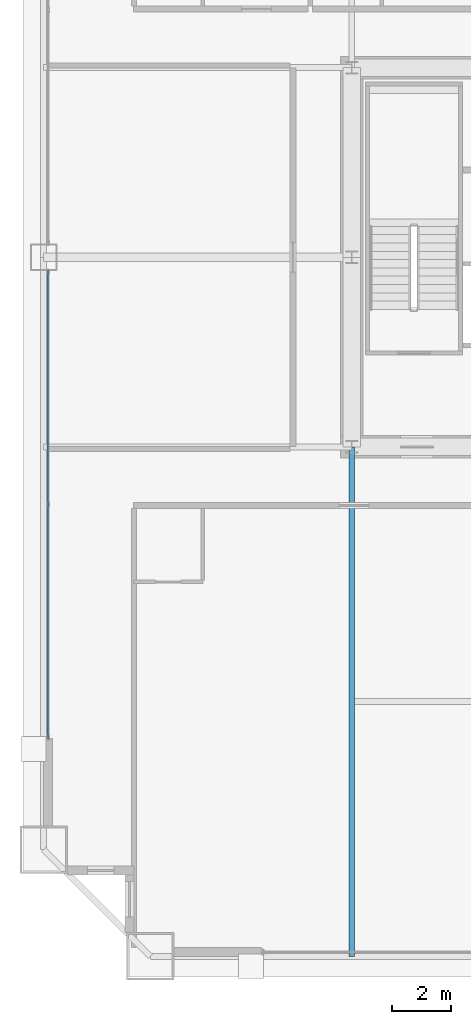
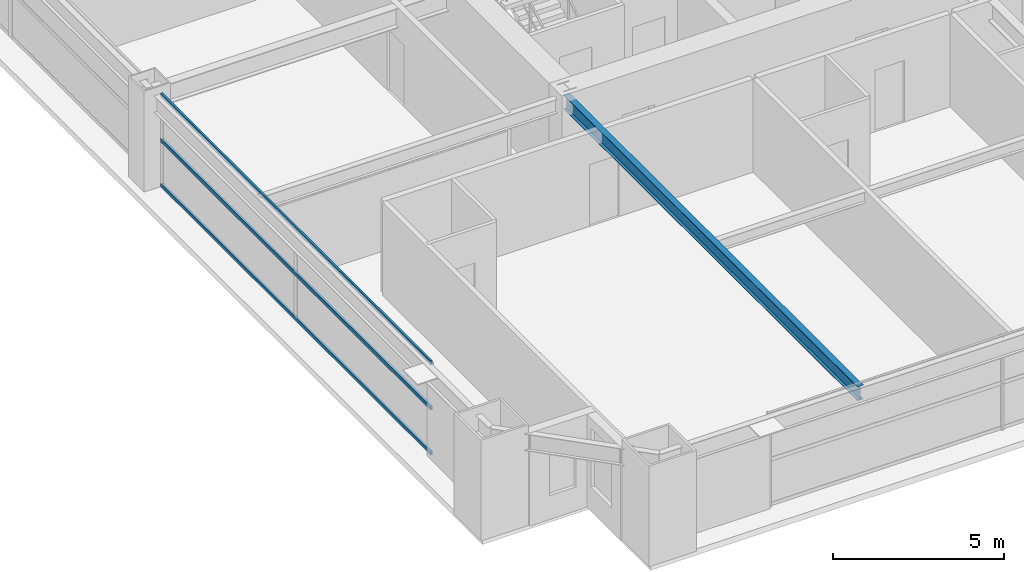
# One storey, part 8 of 38: 3 members, 1 beam, 1 element without a shape of its own.
"""IFC4 building model written with IfcOpenShell, lengths in metres."""

from ifc_helpers import new_model, si_unit, direction, frame, origin, origin_2d, place, context, subcontext, project, spatial, hollow_rectangle, i_section, extrude, source, transform, mapped, material, layer, layer_set, material_profile, profile_set, type_object, element, aggregate, save


model = new_model("IFC4")

# Units and contexts
model_context = context("Model", 3, precision=1e-05, world=origin(), true_north=direction((0.0, 1.0)))
body_context = subcontext(model_context, "Body", "Model", "MODEL_VIEW")
ifc_project = project(units=[si_unit("LENGTHUNIT", "METRE"), si_unit("AREAUNIT", "SQUARE_METRE"), si_unit("VOLUMEUNIT", "CUBIC_METRE"), si_unit("PLANEANGLEUNIT", "RADIAN"), si_unit("MASSUNIT", "GRAM", prefix="KILO"), si_unit("THERMODYNAMICTEMPERATUREUNIT", "KELVIN"), si_unit("POWERUNIT", "WATT")], contexts=[model_context])

# Site, building, storey
site_placement = place(None, origin())
site = spatial("IfcSite", under=ifc_project, at=site_placement, CompositionType="ELEMENT")
building_placement = place(site_placement, origin())
building = spatial("IfcBuilding", under=site, at=building_placement, Name="Yuzanri Waterfront Tower", CompositionType="ELEMENT")
storey_placement = place(building_placement, frame((0.0, 0.0, 126.199951171875)))
storey = spatial("IfcBuildingStorey", under=building, at=storey_placement, Name="L33", CompositionType="ELEMENT", Elevation=126.199951171875)

# Beam
ifc_material_1 = material(Name="Steel Q355B", Category="steel")
ifc_material_profile_1 = material_profile(ifc_material_1, i_section(OverallWidth=0.199951171875, OverallDepth=0.5, WebThickness=0.010009765625, FlangeThickness=0.01611328125, at=origin_2d()), Name="HN 500x200x10x16")
ifc_profile_set_1 = profile_set([ifc_material_profile_1], Name="Steel Q355B")
beam_type = type_object("IfcBeamType", Name="Secondary Floor Beam Q355B HN 500x200", PredefinedType="BEAM", material=ifc_profile_set_1)
shared_shape_1 = source(origin(), body_context, "Body", "SweptSolid", [
    extrude(i_section(OverallWidth=0.199951171875, OverallDepth=0.5, WebThickness=0.010009765625, FlangeThickness=0.01611328125, at=origin_2d()), origin(), (0.0, 0.0, 1.0), 17.199951171875),
])
beam_placement = place(storey_placement, frame((23.800048828125, 19.39990234375, 3.070068359375), z_axis=(0.0, -1.0, 0.0), x_axis=(1.0, 0.0, 0.0)))
element("IfcBeam", 1, at=beam_placement, inside=storey, type_object=beam_type, Name="L33 South-West Core Line Beam", PredefinedType="BEAM", context=body_context, shape_type="MappedRepresentation", body=[
    mapped(shared_shape_1, transform((0.0, 0.0, 0.0), scale=1.0)),
])

# Curtain wall, members
ifc_material_2 = material(Name="Anodized Architectural Bronze", Category="metal")
ifc_layer = layer(ifc_material_2, 0.159912109375)
ifc_layer_set = layer_set([ifc_layer], Name="Anodized Architectural Bronze")
curtain_wall_type = type_object("IfcCurtainWallType", Name="Anodized Bronze Hotel Upper-Tier Solar-Control Unitized Curtain Wall 7800", PredefinedType="NOTDEFINED", material=ifc_layer_set)
curtain_wall_placement = place(storey_placement, origin())
curtain_wall = element("IfcCurtainWall", 2, at=curtain_wall_placement, inside=storey, type_object=curtain_wall_type, Name="L33 Curtain Wall CW-L33-WL", PredefinedType="NOTDEFINED")
ifc_material_3 = material(Name="Anodized Architectural Bronze", Category="metal")
ifc_material_profile_2 = material_profile(ifc_material_3, hollow_rectangle(XDim=0.070068359375, YDim=0.135009765625, WallThickness=0.00341796875, at=origin_2d()), Name="CWT 70x135")
ifc_profile_set_2 = profile_set([ifc_material_profile_2], Name="Anodized Architectural Bronze")
member_type = type_object("IfcMemberType", Name="Anodized Bronze Standard Curtain-Wall Transom 70x135", PredefinedType="USERDEFINED", material=ifc_profile_set_2)
shared_shape_2 = source(origin(), body_context, "Body", "SweptSolid", [
    extrude(hollow_rectangle(XDim=0.070068359375, YDim=0.135009765625, WallThickness=0.00341796875, at=origin_2d()), origin(), (0.0, 0.0, 1.0), 15.800048828125),
])
member_1_placement = place(storey_placement, frame((13.550048828125, 9.550048828125, 0.050048828125), z_axis=(0.0, 1.0, 0.0), x_axis=(-1.0, 0.0, 0.0)))
member_1 = element("IfcMember", 3, at=member_1_placement, type_object=member_type, Name="CW-L33-WL Transom 1", ObjectType="TRANSOM", PredefinedType="USERDEFINED", context=body_context, shape_type="MappedRepresentation", body=[
    mapped(shared_shape_2, transform((0.0, 0.0, 0.0), scale=1.0)),
])
member_2_placement = place(storey_placement, frame((13.550048828125, 9.550048828125, 1.66015625), z_axis=(0.0, 1.0, 0.0), x_axis=(-1.0, 0.0, 0.0)))
member_2 = element("IfcMember", 4, at=member_2_placement, type_object=member_type, Name="CW-L33-WL Transom 2", ObjectType="TRANSOM", PredefinedType="USERDEFINED", context=body_context, shape_type="MappedRepresentation", body=[
    mapped(shared_shape_2, transform((0.0, 0.0, 0.0), scale=1.0)),
])
member_3_placement = place(storey_placement, frame((13.550048828125, 9.550048828125, 3.27001953125), z_axis=(0.0, 1.0, 0.0), x_axis=(-1.0, 0.0, 0.0)))
member_3 = element("IfcMember", 5, at=member_3_placement, type_object=member_type, Name="CW-L33-WL Transom 3", ObjectType="TRANSOM", PredefinedType="USERDEFINED", context=body_context, shape_type="MappedRepresentation", body=[
    mapped(shared_shape_2, transform((0.0, 0.0, 0.0), scale=1.0)),
])
aggregate(curtain_wall, [member_1, member_2, member_3])

save(model, "model.ifc")
